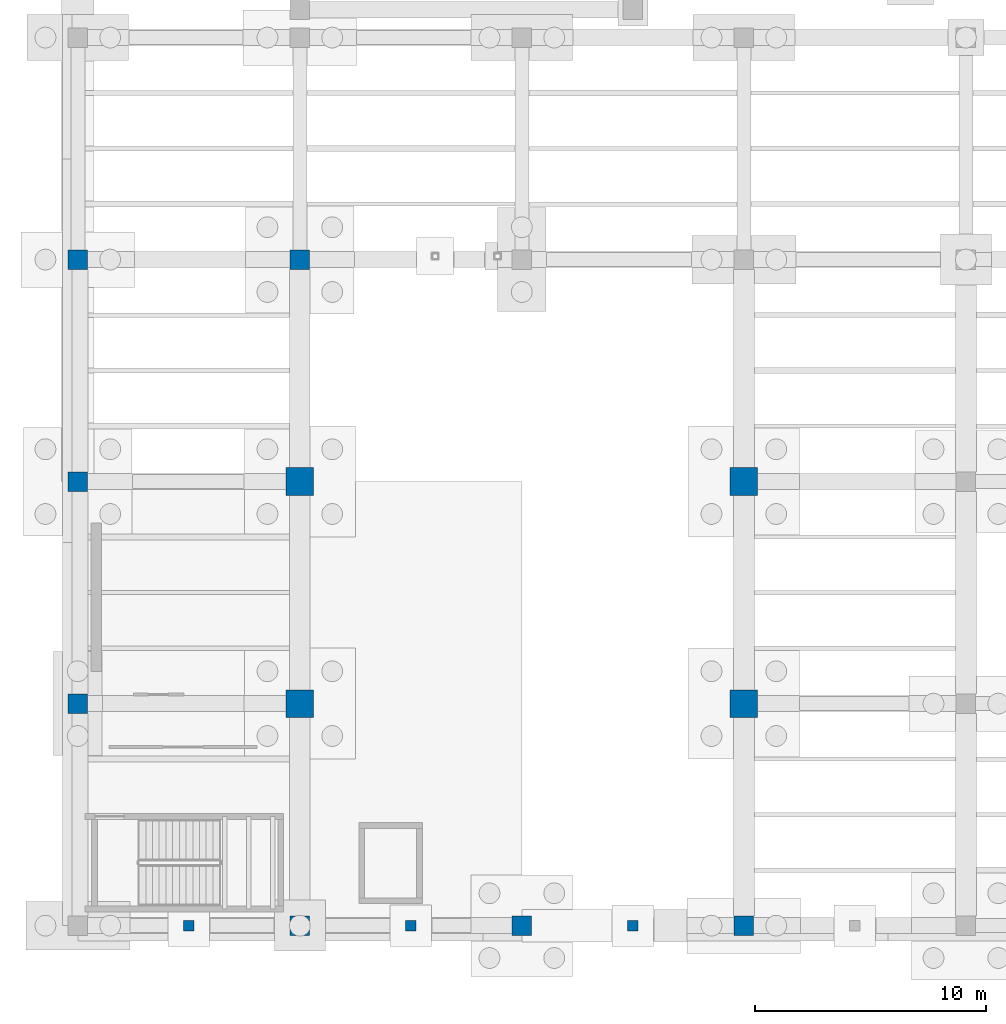
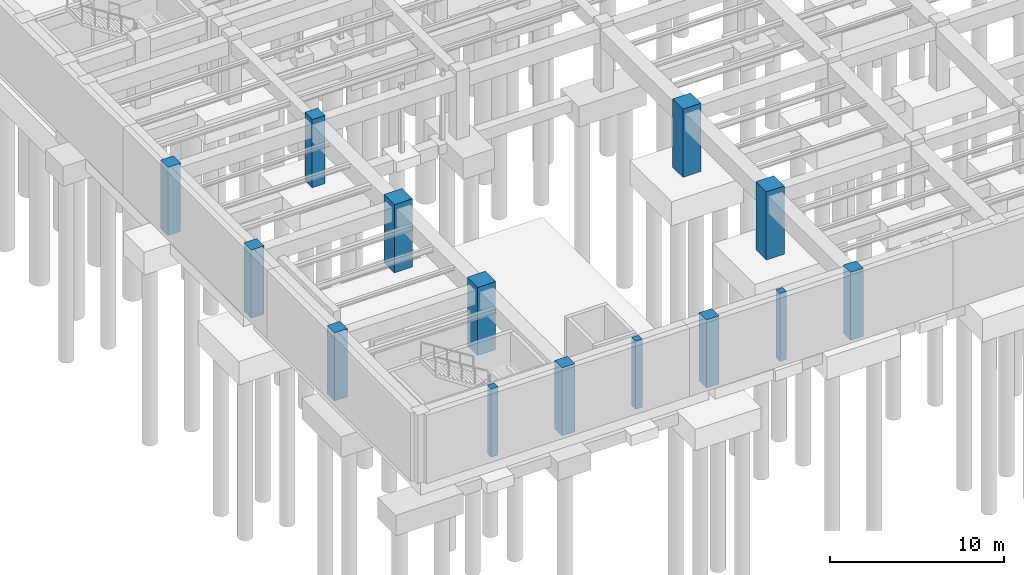
# One storey, part 12 of 56: 14 columns.
"""IFC4 building model written with IfcOpenShell, lengths in metres."""

from ifc_helpers import new_model, si_unit, direction, frame, origin, origin_2d, place, context, subcontext, project, spatial, rectangle, extrude, material, material_profile, profile_set, type_object, element, save


model = new_model("IFC4")

# Units and contexts
model_context = context("Model", 3, precision=1e-05, world=origin(), true_north=direction((0.0, 1.0)))
body_context = subcontext(model_context, "Body", "Model", "MODEL_VIEW")
ifc_project = project(units=[si_unit("LENGTHUNIT", "METRE"), si_unit("AREAUNIT", "SQUARE_METRE"), si_unit("VOLUMEUNIT", "CUBIC_METRE"), si_unit("PLANEANGLEUNIT", "RADIAN"), si_unit("MASSUNIT", "GRAM", prefix="KILO")], contexts=[model_context])

# Site, building, storey
site_placement = place(None, origin())
site = spatial("IfcSite", under=ifc_project, at=site_placement, CompositionType="ELEMENT")
building_placement = place(site_placement, origin())
building = spatial("IfcBuilding", under=site, at=building_placement, Name="Mavantir Sound Aquarium", CompositionType="ELEMENT")
storey_placement = place(building_placement, frame((0.0, 0.0, -9.60009765625)))
storey = spatial("IfcBuildingStorey", under=building, at=storey_placement, Name="B2", CompositionType="ELEMENT", Elevation=-9.60009765625)

# Columns
ifc_material = material(Name="Concrete C40/50", Category="concrete")
ifc_material_profile_1 = material_profile(ifc_material, rectangle(XDim=1.199951171875, YDim=1.199951171875, at=origin_2d()), Name="RC 1200X1200")
ifc_profile_set_1 = profile_set([ifc_material_profile_1], Name="Concrete C40/50")
column_type_1 = type_object("IfcColumnType", Name="COL-RC1200-I", PredefinedType="COLUMN", material=ifc_profile_set_1)
for number, where, z_axis, x_axis, name in (
    (1, (9.60009765625, 9.60009765625, 0.0), (0.0, 0.0, 1.0), (1.0, 0.0, 0.0), "B2 column RC-C12 (V3)"),
    (2, (9.60009765625, 19.199951171875, 0.0), (0.0, 0.0, 1.0), (1.0, 0.0, 0.0), "B2 column RC-C12 (V3)"),
    (3, (28.800048828125, 9.60009765625, 0.0), (0.0, 0.0, 1.0), (1.0, 0.0, 0.0), "B2 column RC-C12 (V3)"),
    (4, (28.800048828125, 19.199951171875, 0.0), (0.0, 0.0, 1.0), (1.0, 0.0, 0.0), "B2 column RC-C12 (V3)"),
):
    element("IfcColumn", number, at=place(storey_placement, frame(where, z_axis=z_axis, x_axis=x_axis)), inside=storey, type_object=column_type_1, Name=name, PredefinedType="COLUMN", context=body_context, shape_type="SweptSolid", body=[
        extrude(rectangle(XDim=1.199951171875, YDim=1.199951171875, at=origin_2d()), origin(), (0.0, 0.0, 1.0), 4.800048828125),
    ])
ifc_material_profile_2 = material_profile(ifc_material, rectangle(XDim=0.449951171875, YDim=0.449951171875, at=origin_2d()), Name="RC 450X450")
ifc_profile_set_2 = profile_set([ifc_material_profile_2], Name="Concrete C40/50")
column_type_2 = type_object("IfcColumnType", Name="COL-RC450-E", PredefinedType="PILASTER", material=ifc_profile_set_2)
for number, where, z_axis, x_axis, name in (
    (5, (4.800048828125, 0.0, 0.0), (0.0, 0.0, 1.0), (1.0, 0.0, 0.0), "Postmodern facade pilaster B2.1"),
    (6, (14.39990234375, 0.0, 0.0), (0.0, 0.0, 1.0), (1.0, 0.0, 0.0), "Postmodern facade pilaster B2.2"),
    (7, (24.0, 0.0, 0.0), (0.0, 0.0, 1.0), (1.0, 0.0, 0.0), "Postmodern facade pilaster B2.3"),
):
    element("IfcColumn", number, at=place(storey_placement, frame(where, z_axis=z_axis, x_axis=x_axis)), inside=storey, type_object=column_type_2, Name=name, PredefinedType="PILASTER", context=body_context, shape_type="SweptSolid", body=[
        extrude(rectangle(XDim=0.449951171875, YDim=0.449951171875, at=origin_2d()), origin(), (0.0, 0.0, 1.0), 4.800048828125),
    ])
ifc_material_profile_3 = material_profile(ifc_material, rectangle(XDim=0.85009765625, YDim=0.85009765625, at=origin_2d()), Name="RC 850X850")
ifc_profile_set_3 = profile_set([ifc_material_profile_3], Name="Concrete C40/50")
column_type_3 = type_object("IfcColumnType", Name="COL-RC850-E", PredefinedType="COLUMN", material=ifc_profile_set_3)
for number, where, z_axis, x_axis, name in (
    (8, (0.0, 9.60009765625, 0.0), (0.0, 0.0, 1.0), (1.0, 0.0, 0.0), "B2 column RC-C85 (V3)"),
    (9, (0.0, 19.199951171875, 0.0), (0.0, 0.0, 1.0), (1.0, 0.0, 0.0), "B2 column RC-C85 (V3)"),
    (10, (0.0, 28.800048828125, 0.0), (0.0, 0.0, 1.0), (1.0, 0.0, 0.0), "B2 column RC-C85 (V3)"),
    (11, (9.60009765625, 0.0, 0.0), (0.0, 0.0, 1.0), (1.0, 0.0, 0.0), "B2 column RC-C85 (V3)"),
    (12, (19.199951171875, 0.0, 0.0), (0.0, 0.0, 1.0), (1.0, 0.0, 0.0), "B2 column RC-C85 (V3)"),
    (13, (28.800048828125, 0.0, 0.0), (0.0, 0.0, 1.0), (1.0, 0.0, 0.0), "B2 column RC-C85 (V3)"),
):
    element("IfcColumn", number, at=place(storey_placement, frame(where, z_axis=z_axis, x_axis=x_axis)), inside=storey, type_object=column_type_3, Name=name, PredefinedType="COLUMN", context=body_context, shape_type="SweptSolid", body=[
        extrude(rectangle(XDim=0.85009765625, YDim=0.85009765625, at=origin_2d()), origin(), (0.0, 0.0, 1.0), 4.800048828125),
    ])
ifc_material_profile_4 = material_profile(ifc_material, rectangle(XDim=0.85009765625, YDim=0.85009765625, at=origin_2d()), Name="RC 850X850")
ifc_profile_set_4 = profile_set([ifc_material_profile_4], Name="Concrete C40/50")
column_type_4 = type_object("IfcColumnType", Name="COL-RC850-I", PredefinedType="COLUMN", material=ifc_profile_set_4)
column_placement = place(storey_placement, frame((9.60009765625, 28.800048828125, 0.0), z_axis=(0.0, 0.0, 1.0), x_axis=(1.0, 0.0, 0.0)))
element("IfcColumn", 14, at=column_placement, inside=storey, type_object=column_type_4, Name="B2 column RC-C85 (V3)", PredefinedType="COLUMN", context=body_context, shape_type="SweptSolid", body=[
    extrude(rectangle(XDim=0.85009765625, YDim=0.85009765625, at=origin_2d()), origin(), (0.0, 0.0, 1.0), 4.800048828125),
])

save(model, "model.ifc")
